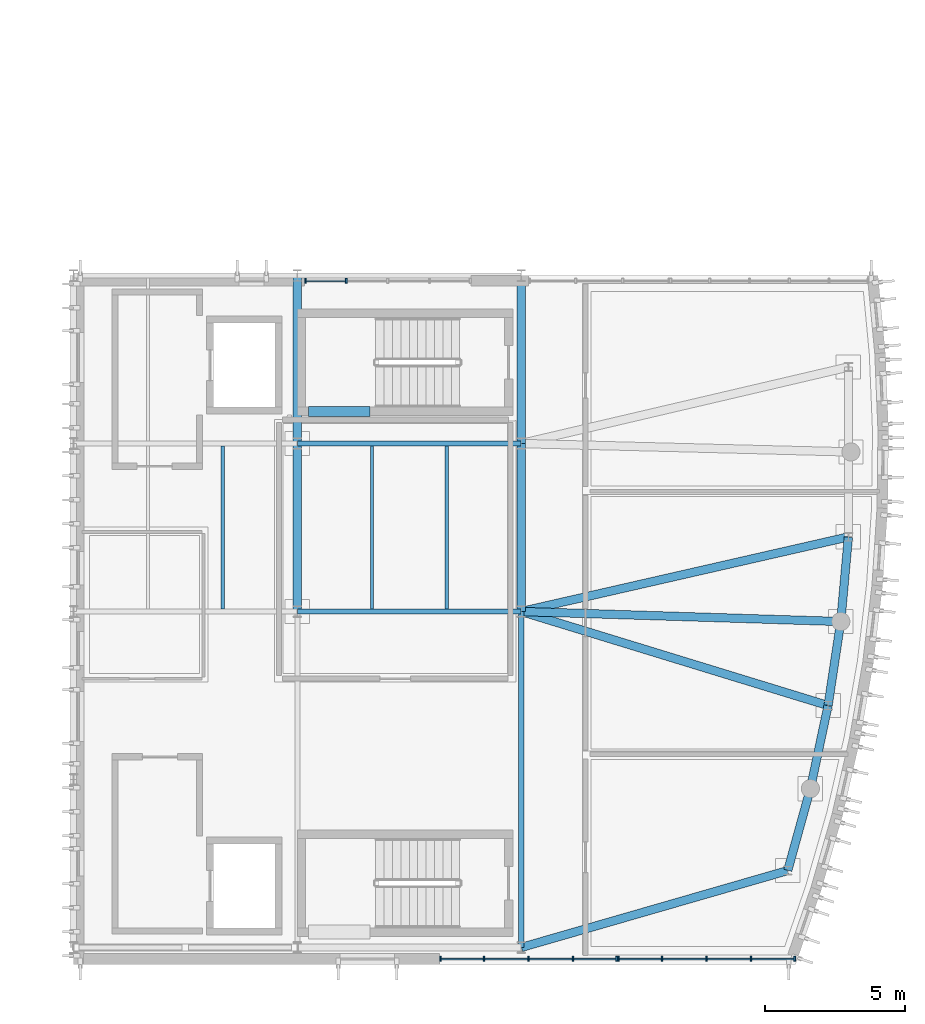
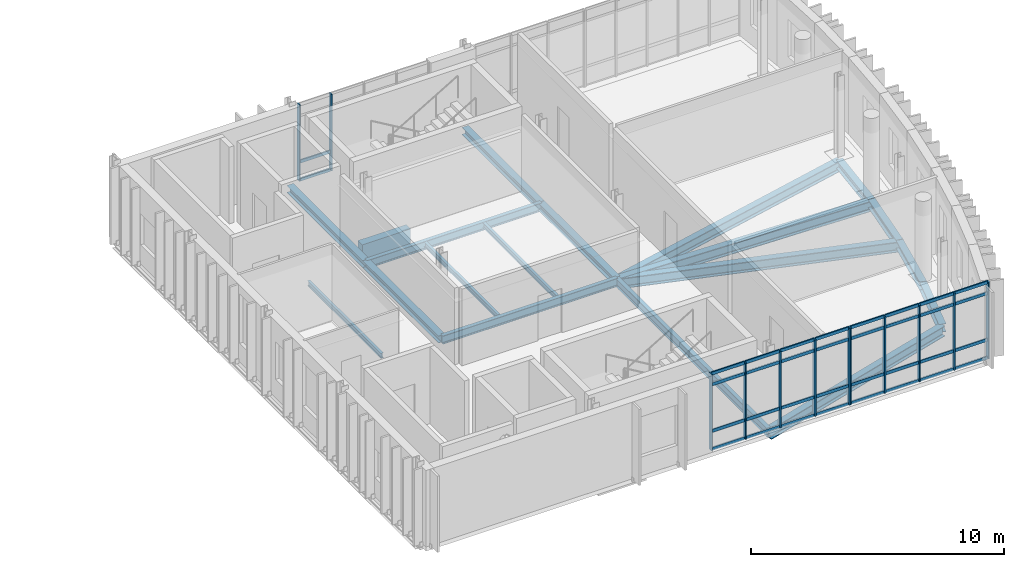
# One storey, part 3 of 14: 46 members, 19 beams, 3 elements without a shape of their own.
"""IFC4 building model written with IfcOpenShell, lengths in metres."""

from ifc_helpers import new_model, si_unit, direction, frame, origin, origin_2d, place, context, subcontext, project, spatial, rectangle, i_section, extrude, material, material_profile, profile_set, type_object, element, aggregate, save


model = new_model("IFC4")

# Units and contexts
model_context = context("Model", 3, precision=1e-05, world=origin(), true_north=direction((0.0, 1.0)))
body_context = subcontext(model_context, "Body", "Model", "MODEL_VIEW")
ifc_project = project(units=[si_unit("LENGTHUNIT", "METRE"), si_unit("AREAUNIT", "SQUARE_METRE"), si_unit("VOLUMEUNIT", "CUBIC_METRE"), si_unit("PLANEANGLEUNIT", "RADIAN"), si_unit("MASSUNIT", "GRAM", prefix="KILO")], contexts=[model_context])

# Site, building, storey
site_placement = place(None, origin())
site = spatial("IfcSite", under=ifc_project, at=site_placement, CompositionType="ELEMENT")
building_placement = place(site_placement, origin())
building = spatial("IfcBuilding", under=site, at=building_placement, Name="Cymarion Research Institute", CompositionType="ELEMENT")
storey_placement = place(building_placement, frame((0.0, 0.0, 34.5)))
storey = spatial("IfcBuildingStorey", under=building, at=storey_placement, Name="L08", CompositionType="ELEMENT", Elevation=34.5)

# Beam
ifc_material_1 = material(Name="Concrete C40/50", Category="concrete")
ifc_material_profile_1 = material_profile(ifc_material_1, rectangle(XDim=0.35009765625, YDim=0.85009765625, at=origin_2d()), Name="RC 350x850")
ifc_profile_set_1 = profile_set([ifc_material_profile_1], Name="Concrete C40/50")
beam_type_1 = type_object("IfcBeamType", Name="COUPLING LINTEL LN02 RC 350x850", PredefinedType="LINTEL", material=ifc_profile_set_1)
beam_1_placement = place(storey_placement, frame((147.0, 24.64990234375, -0.64501953125), z_axis=(1.0, 0.0, 0.0), x_axis=(0.0, 1.0, 0.0)))
element("IfcBeam", 1, at=beam_1_placement, inside=storey, type_object=beam_type_1, Name="L08 C2 core coupling lintel LN02", PredefinedType="LINTEL", context=body_context, shape_type="SweptSolid", body=[
    extrude(rectangle(XDim=0.35009765625, YDim=0.85009765625, at=origin_2d()), origin(), (0.0, 0.0, 1.0), 2.199951171875),
])

# Curtain wall, members
ifc_material_2 = material(Name="Anodised aluminium unitised curtain wall with Low-E glazing", Category="aluminium")
curtain_wall_type_1 = type_object("IfcCurtainWallType", Name="UNITISED CURTAIN WALL CW66 6360X3700", PredefinedType="NOTDEFINED", material=ifc_material_2)
curtain_wall_1_placement = place(storey_placement, origin())
curtain_wall_1 = element("IfcCurtainWall", 2, at=curtain_wall_1_placement, inside=storey, type_object=curtain_wall_type_1, Name="L08 V1 unitised curtain wall CW66 #243", PredefinedType="NOTDEFINED")
ifc_material_3 = material(Name="Anodised aluminium framing", Category="aluminium")
ifc_material_profile_2 = material_profile(ifc_material_3, rectangle(XDim=0.06005859375, YDim=0.179931640625, at=origin_2d()), Name="ALU MULLION 60x180")
ifc_profile_set_2 = profile_set([ifc_material_profile_2], Name="Anodised aluminium framing")
member_type_1 = type_object("IfcMemberType", Name="CURTAIN WALL MULLION ML01 60X180", PredefinedType="MULLION", material=ifc_profile_set_2)
member_1_placement = place(storey_placement, frame((151.7109375, 5.090087890625, 0.0), z_axis=(0.0, 0.0, 1.0), x_axis=(1.0, 0.0, 0.0)))
member_1 = element("IfcMember", 3, at=member_1_placement, type_object=member_type_1, Name="CW66 mullion 1", PredefinedType="MULLION", context=body_context, shape_type="SweptSolid", body=[
    extrude(rectangle(XDim=0.06005859375, YDim=0.179931640625, at=origin_2d()), origin(), (0.0, 0.0, 1.0), 3.699951171875),
])
member_2_placement = place(storey_placement, frame((153.27099609375, 5.090087890625, 0.0), z_axis=(0.0, 0.0, 1.0), x_axis=(1.0, 0.0, 0.0)))
member_2 = element("IfcMember", 4, at=member_2_placement, type_object=member_type_1, Name="CW66 mullion 2", PredefinedType="MULLION", context=body_context, shape_type="SweptSolid", body=[
    extrude(rectangle(XDim=0.06005859375, YDim=0.179931640625, at=origin_2d()), origin(), (0.0, 0.0, 1.0), 3.699951171875),
])
member_3_placement = place(storey_placement, frame((154.86083984375, 5.090087890625, 0.0), z_axis=(0.0, 0.0, 1.0), x_axis=(1.0, 0.0, 0.0)))
member_3 = element("IfcMember", 5, at=member_3_placement, type_object=member_type_1, Name="CW66 mullion 3", PredefinedType="MULLION", context=body_context, shape_type="SweptSolid", body=[
    extrude(rectangle(XDim=0.06005859375, YDim=0.179931640625, at=origin_2d()), origin(), (0.0, 0.0, 1.0), 3.699951171875),
])
member_4_placement = place(storey_placement, frame((156.45068359375, 5.090087890625, 0.0), z_axis=(0.0, 0.0, 1.0), x_axis=(1.0, 0.0, 0.0)))
member_4 = element("IfcMember", 6, at=member_4_placement, type_object=member_type_1, Name="CW66 mullion 4", PredefinedType="MULLION", context=body_context, shape_type="SweptSolid", body=[
    extrude(rectangle(XDim=0.06005859375, YDim=0.179931640625, at=origin_2d()), origin(), (0.0, 0.0, 1.0), 3.699951171875),
])
member_5_placement = place(storey_placement, frame((158.010498046875, 5.090087890625, 0.0), z_axis=(0.0, 0.0, 1.0), x_axis=(1.0, 0.0, 0.0)))
member_5 = element("IfcMember", 7, at=member_5_placement, type_object=member_type_1, Name="CW66 mullion 5", PredefinedType="MULLION", context=body_context, shape_type="SweptSolid", body=[
    extrude(rectangle(XDim=0.06005859375, YDim=0.179931640625, at=origin_2d()), origin(), (0.0, 0.0, 1.0), 3.699951171875),
])

curtain_wall_2_placement = place(storey_placement, origin())
curtain_wall_2 = element("IfcCurtainWall", 8, at=curtain_wall_2_placement, inside=storey, type_object=curtain_wall_type_1, Name="L08 V1 unitised curtain wall CW66 #244", PredefinedType="NOTDEFINED")
member_6_placement = place(storey_placement, frame((158.070556640625, 5.090087890625, 0.0), z_axis=(0.0, 0.0, 1.0), x_axis=(1.0, 0.0, 0.0)))
member_6 = element("IfcMember", 9, at=member_6_placement, type_object=member_type_1, Name="CW66 mullion 1", PredefinedType="MULLION", context=body_context, shape_type="SweptSolid", body=[
    extrude(rectangle(XDim=0.06005859375, YDim=0.179931640625, at=origin_2d()), origin(), (0.0, 0.0, 1.0), 3.699951171875),
])
member_7_placement = place(storey_placement, frame((159.63037109375, 5.090087890625, 0.0), z_axis=(0.0, 0.0, 1.0), x_axis=(1.0, 0.0, 0.0)))
member_7 = element("IfcMember", 10, at=member_7_placement, type_object=member_type_1, Name="CW66 mullion 2", PredefinedType="MULLION", context=body_context, shape_type="SweptSolid", body=[
    extrude(rectangle(XDim=0.06005859375, YDim=0.179931640625, at=origin_2d()), origin(), (0.0, 0.0, 1.0), 3.699951171875),
])
member_8_placement = place(storey_placement, frame((161.22021484375, 5.090087890625, 0.0), z_axis=(0.0, 0.0, 1.0), x_axis=(1.0, 0.0, 0.0)))
member_8 = element("IfcMember", 11, at=member_8_placement, type_object=member_type_1, Name="CW66 mullion 3", PredefinedType="MULLION", context=body_context, shape_type="SweptSolid", body=[
    extrude(rectangle(XDim=0.06005859375, YDim=0.179931640625, at=origin_2d()), origin(), (0.0, 0.0, 1.0), 3.699951171875),
])
member_9_placement = place(storey_placement, frame((162.81005859375, 5.090087890625, 0.0), z_axis=(0.0, 0.0, 1.0), x_axis=(1.0, 0.0, 0.0)))
member_9 = element("IfcMember", 12, at=member_9_placement, type_object=member_type_1, Name="CW66 mullion 4", PredefinedType="MULLION", context=body_context, shape_type="SweptSolid", body=[
    extrude(rectangle(XDim=0.06005859375, YDim=0.179931640625, at=origin_2d()), origin(), (0.0, 0.0, 1.0), 3.699951171875),
])
member_10_placement = place(storey_placement, frame((164.3701171875, 5.090087890625, 0.0), z_axis=(0.0, 0.0, 1.0), x_axis=(1.0, 0.0, 0.0)))
member_10 = element("IfcMember", 13, at=member_10_placement, type_object=member_type_1, Name="CW66 mullion 5", PredefinedType="MULLION", context=body_context, shape_type="SweptSolid", body=[
    extrude(rectangle(XDim=0.06005859375, YDim=0.179931640625, at=origin_2d()), origin(), (0.0, 0.0, 1.0), 3.699951171875),
])

curtain_wall_type_2 = type_object("IfcCurtainWallType", Name="UNITISED CURTAIN WALL CW69 5950X3700", PredefinedType="NOTDEFINED", material=ifc_material_2)
curtain_wall_3_placement = place(storey_placement, origin())
curtain_wall_3 = element("IfcCurtainWall", 14, at=curtain_wall_3_placement, inside=storey, type_object=curtain_wall_type_2, Name="L08 V1 unitised curtain wall CW69 #247", PredefinedType="NOTDEFINED")
member_11_placement = place(storey_placement, frame((148.346923828125, 29.31005859375, 0.0), z_axis=(0.0, 0.0, 1.0), x_axis=(-1.0, 0.0, 0.0)))
member_11 = element("IfcMember", 15, at=member_11_placement, type_object=member_type_1, Name="CW69 mullion 4", PredefinedType="MULLION", context=body_context, shape_type="SweptSolid", body=[
    extrude(rectangle(XDim=0.06005859375, YDim=0.179931640625, at=origin_2d()), origin(), (0.0, 0.0, 1.0), 3.699951171875),
])
member_12_placement = place(storey_placement, frame((146.889892578125, 29.31005859375, 0.0), z_axis=(0.0, 0.0, 1.0), x_axis=(-1.0, 0.0, 0.0)))
member_12 = element("IfcMember", 16, at=member_12_placement, type_object=member_type_1, Name="CW69 mullion 5", PredefinedType="MULLION", context=body_context, shape_type="SweptSolid", body=[
    extrude(rectangle(XDim=0.06005859375, YDim=0.179931640625, at=origin_2d()), origin(), (0.0, 0.0, 1.0), 3.699951171875),
])

# Member
ifc_material_profile_3 = material_profile(ifc_material_3, rectangle(XDim=0.06005859375, YDim=0.14990234375, at=origin_2d()), Name="ALU TRANSOM 60x150")
ifc_profile_set_3 = profile_set([ifc_material_profile_3], Name="Anodised aluminium framing")
member_type_2 = type_object("IfcMemberType", Name="CURTAIN WALL TRANSOM TR01 60X150", PredefinedType="USERDEFINED", material=ifc_profile_set_3)
member_13_placement = place(storey_placement, frame((151.740966796875, 5.090087890625, 0.030029296875), z_axis=(1.0, 0.0, 0.0), x_axis=(0.0, 1.0, 0.0)))
member_13 = element("IfcMember", 17, at=member_13_placement, type_object=member_type_2, Name="CW66 transom 1.1", ObjectType="TRANSOM", PredefinedType="USERDEFINED", context=body_context, shape_type="SweptSolid", body=[
    extrude(rectangle(XDim=0.06005859375, YDim=0.14990234375, at=origin_2d()), origin(), (0.0, 0.0, 1.0), 1.5),
])

member_14_placement = place(storey_placement, frame((151.740966796875, 5.090087890625, 0.89990234375), z_axis=(1.0, 0.0, 0.0), x_axis=(0.0, 1.0, 0.0)))
member_14 = element("IfcMember", 18, at=member_14_placement, type_object=member_type_2, Name="CW66 transom 1.2", ObjectType="TRANSOM", PredefinedType="USERDEFINED", context=body_context, shape_type="SweptSolid", body=[
    extrude(rectangle(XDim=0.06005859375, YDim=0.14990234375, at=origin_2d()), origin(), (0.0, 0.0, 1.0), 1.5),
])

member_15_placement = place(storey_placement, frame((151.740966796875, 5.090087890625, 3.14990234375), z_axis=(1.0, 0.0, 0.0), x_axis=(0.0, 1.0, 0.0)))
member_15 = element("IfcMember", 19, at=member_15_placement, type_object=member_type_2, Name="CW66 transom 1.3", ObjectType="TRANSOM", PredefinedType="USERDEFINED", context=body_context, shape_type="SweptSolid", body=[
    extrude(rectangle(XDim=0.06005859375, YDim=0.14990234375, at=origin_2d()), origin(), (0.0, 0.0, 1.0), 1.5),
])

member_16_placement = place(storey_placement, frame((151.740966796875, 5.090087890625, 3.669921875), z_axis=(1.0, 0.0, 0.0), x_axis=(0.0, 1.0, 0.0)))
member_16 = element("IfcMember", 20, at=member_16_placement, type_object=member_type_2, Name="CW66 transom 1.4", ObjectType="TRANSOM", PredefinedType="USERDEFINED", context=body_context, shape_type="SweptSolid", body=[
    extrude(rectangle(XDim=0.06005859375, YDim=0.14990234375, at=origin_2d()), origin(), (0.0, 0.0, 1.0), 1.5),
])

member_17_placement = place(storey_placement, frame((153.30078125, 5.090087890625, 0.030029296875), z_axis=(1.0, 0.0, 0.0), x_axis=(0.0, 1.0, 0.0)))
member_17 = element("IfcMember", 21, at=member_17_placement, type_object=member_type_2, Name="CW66 transom 2.1", ObjectType="TRANSOM", PredefinedType="USERDEFINED", context=body_context, shape_type="SweptSolid", body=[
    extrude(rectangle(XDim=0.06005859375, YDim=0.14990234375, at=origin_2d()), origin(), (0.0, 0.0, 1.0), 1.530029296875),
])

member_18_placement = place(storey_placement, frame((153.30078125, 5.090087890625, 0.89990234375), z_axis=(1.0, 0.0, 0.0), x_axis=(0.0, 1.0, 0.0)))
member_18 = element("IfcMember", 22, at=member_18_placement, type_object=member_type_2, Name="CW66 transom 2.2", ObjectType="TRANSOM", PredefinedType="USERDEFINED", context=body_context, shape_type="SweptSolid", body=[
    extrude(rectangle(XDim=0.06005859375, YDim=0.14990234375, at=origin_2d()), origin(), (0.0, 0.0, 1.0), 1.530029296875),
])

member_19_placement = place(storey_placement, frame((153.30078125, 5.090087890625, 3.14990234375), z_axis=(1.0, 0.0, 0.0), x_axis=(0.0, 1.0, 0.0)))
member_19 = element("IfcMember", 23, at=member_19_placement, type_object=member_type_2, Name="CW66 transom 2.3", ObjectType="TRANSOM", PredefinedType="USERDEFINED", context=body_context, shape_type="SweptSolid", body=[
    extrude(rectangle(XDim=0.06005859375, YDim=0.14990234375, at=origin_2d()), origin(), (0.0, 0.0, 1.0), 1.530029296875),
])

member_20_placement = place(storey_placement, frame((153.30078125, 5.090087890625, 3.669921875), z_axis=(1.0, 0.0, 0.0), x_axis=(0.0, 1.0, 0.0)))
member_20 = element("IfcMember", 24, at=member_20_placement, type_object=member_type_2, Name="CW66 transom 2.4", ObjectType="TRANSOM", PredefinedType="USERDEFINED", context=body_context, shape_type="SweptSolid", body=[
    extrude(rectangle(XDim=0.06005859375, YDim=0.14990234375, at=origin_2d()), origin(), (0.0, 0.0, 1.0), 1.530029296875),
])

member_21_placement = place(storey_placement, frame((154.890869140625, 5.090087890625, 0.030029296875), z_axis=(1.0, 0.0, 0.0), x_axis=(0.0, 1.0, 0.0)))
member_21 = element("IfcMember", 25, at=member_21_placement, type_object=member_type_2, Name="CW66 transom 3.1", ObjectType="TRANSOM", PredefinedType="USERDEFINED", context=body_context, shape_type="SweptSolid", body=[
    extrude(rectangle(XDim=0.06005859375, YDim=0.14990234375, at=origin_2d()), origin(), (0.0, 0.0, 1.0), 1.52978515625),
])

member_22_placement = place(storey_placement, frame((154.890869140625, 5.090087890625, 0.89990234375), z_axis=(1.0, 0.0, 0.0), x_axis=(0.0, 1.0, 0.0)))
member_22 = element("IfcMember", 26, at=member_22_placement, type_object=member_type_2, Name="CW66 transom 3.2", ObjectType="TRANSOM", PredefinedType="USERDEFINED", context=body_context, shape_type="SweptSolid", body=[
    extrude(rectangle(XDim=0.06005859375, YDim=0.14990234375, at=origin_2d()), origin(), (0.0, 0.0, 1.0), 1.52978515625),
])

member_23_placement = place(storey_placement, frame((154.890869140625, 5.090087890625, 3.14990234375), z_axis=(1.0, 0.0, 0.0), x_axis=(0.0, 1.0, 0.0)))
member_23 = element("IfcMember", 27, at=member_23_placement, type_object=member_type_2, Name="CW66 transom 3.3", ObjectType="TRANSOM", PredefinedType="USERDEFINED", context=body_context, shape_type="SweptSolid", body=[
    extrude(rectangle(XDim=0.06005859375, YDim=0.14990234375, at=origin_2d()), origin(), (0.0, 0.0, 1.0), 1.52978515625),
])

member_24_placement = place(storey_placement, frame((154.890869140625, 5.090087890625, 3.669921875), z_axis=(1.0, 0.0, 0.0), x_axis=(0.0, 1.0, 0.0)))
member_24 = element("IfcMember", 28, at=member_24_placement, type_object=member_type_2, Name="CW66 transom 3.4", ObjectType="TRANSOM", PredefinedType="USERDEFINED", context=body_context, shape_type="SweptSolid", body=[
    extrude(rectangle(XDim=0.06005859375, YDim=0.14990234375, at=origin_2d()), origin(), (0.0, 0.0, 1.0), 1.52978515625),
])

member_25_placement = place(storey_placement, frame((156.480712890625, 5.090087890625, 0.030029296875), z_axis=(1.0, 0.0, 0.0), x_axis=(0.0, 1.0, 0.0)))
member_25 = element("IfcMember", 29, at=member_25_placement, type_object=member_type_2, Name="CW66 transom 4.1", ObjectType="TRANSOM", PredefinedType="USERDEFINED", context=body_context, shape_type="SweptSolid", body=[
    extrude(rectangle(XDim=0.06005859375, YDim=0.14990234375, at=origin_2d()), origin(), (0.0, 0.0, 1.0), 1.499755859375),
])

member_26_placement = place(storey_placement, frame((156.480712890625, 5.090087890625, 0.89990234375), z_axis=(1.0, 0.0, 0.0), x_axis=(0.0, 1.0, 0.0)))
member_26 = element("IfcMember", 30, at=member_26_placement, type_object=member_type_2, Name="CW66 transom 4.2", ObjectType="TRANSOM", PredefinedType="USERDEFINED", context=body_context, shape_type="SweptSolid", body=[
    extrude(rectangle(XDim=0.06005859375, YDim=0.14990234375, at=origin_2d()), origin(), (0.0, 0.0, 1.0), 1.499755859375),
])

member_27_placement = place(storey_placement, frame((156.480712890625, 5.090087890625, 3.14990234375), z_axis=(1.0, 0.0, 0.0), x_axis=(0.0, 1.0, 0.0)))
member_27 = element("IfcMember", 31, at=member_27_placement, type_object=member_type_2, Name="CW66 transom 4.3", ObjectType="TRANSOM", PredefinedType="USERDEFINED", context=body_context, shape_type="SweptSolid", body=[
    extrude(rectangle(XDim=0.06005859375, YDim=0.14990234375, at=origin_2d()), origin(), (0.0, 0.0, 1.0), 1.499755859375),
])

member_28_placement = place(storey_placement, frame((156.480712890625, 5.090087890625, 3.669921875), z_axis=(1.0, 0.0, 0.0), x_axis=(0.0, 1.0, 0.0)))
member_28 = element("IfcMember", 32, at=member_28_placement, type_object=member_type_2, Name="CW66 transom 4.4", ObjectType="TRANSOM", PredefinedType="USERDEFINED", context=body_context, shape_type="SweptSolid", body=[
    extrude(rectangle(XDim=0.06005859375, YDim=0.14990234375, at=origin_2d()), origin(), (0.0, 0.0, 1.0), 1.499755859375),
])

aggregate(curtain_wall_1, [member_1, member_2, member_3, member_4, member_5, member_13, member_14, member_15, member_16, member_17, member_18, member_19, member_20, member_21, member_22, member_23, member_24, member_25, member_26, member_27, member_28])

member_29_placement = place(storey_placement, frame((158.1005859375, 5.090087890625, 0.030029296875), z_axis=(1.0, 0.0, 0.0), x_axis=(0.0, 1.0, 0.0)))
member_29 = element("IfcMember", 33, at=member_29_placement, type_object=member_type_2, Name="CW66 transom 1.1", ObjectType="TRANSOM", PredefinedType="USERDEFINED", context=body_context, shape_type="SweptSolid", body=[
    extrude(rectangle(XDim=0.06005859375, YDim=0.14990234375, at=origin_2d()), origin(), (0.0, 0.0, 1.0), 1.499755859375),
])

member_30_placement = place(storey_placement, frame((158.1005859375, 5.090087890625, 0.89990234375), z_axis=(1.0, 0.0, 0.0), x_axis=(0.0, 1.0, 0.0)))
member_30 = element("IfcMember", 34, at=member_30_placement, type_object=member_type_2, Name="CW66 transom 1.2", ObjectType="TRANSOM", PredefinedType="USERDEFINED", context=body_context, shape_type="SweptSolid", body=[
    extrude(rectangle(XDim=0.06005859375, YDim=0.14990234375, at=origin_2d()), origin(), (0.0, 0.0, 1.0), 1.499755859375),
])

member_31_placement = place(storey_placement, frame((158.1005859375, 5.090087890625, 3.14990234375), z_axis=(1.0, 0.0, 0.0), x_axis=(0.0, 1.0, 0.0)))
member_31 = element("IfcMember", 35, at=member_31_placement, type_object=member_type_2, Name="CW66 transom 1.3", ObjectType="TRANSOM", PredefinedType="USERDEFINED", context=body_context, shape_type="SweptSolid", body=[
    extrude(rectangle(XDim=0.06005859375, YDim=0.14990234375, at=origin_2d()), origin(), (0.0, 0.0, 1.0), 1.499755859375),
])

member_32_placement = place(storey_placement, frame((158.1005859375, 5.090087890625, 3.669921875), z_axis=(1.0, 0.0, 0.0), x_axis=(0.0, 1.0, 0.0)))
member_32 = element("IfcMember", 36, at=member_32_placement, type_object=member_type_2, Name="CW66 transom 1.4", ObjectType="TRANSOM", PredefinedType="USERDEFINED", context=body_context, shape_type="SweptSolid", body=[
    extrude(rectangle(XDim=0.06005859375, YDim=0.14990234375, at=origin_2d()), origin(), (0.0, 0.0, 1.0), 1.499755859375),
])

member_33_placement = place(storey_placement, frame((159.660400390625, 5.090087890625, 0.030029296875), z_axis=(1.0, 0.0, 0.0), x_axis=(0.0, 1.0, 0.0)))
member_33 = element("IfcMember", 37, at=member_33_placement, type_object=member_type_2, Name="CW66 transom 2.1", ObjectType="TRANSOM", PredefinedType="USERDEFINED", context=body_context, shape_type="SweptSolid", body=[
    extrude(rectangle(XDim=0.06005859375, YDim=0.14990234375, at=origin_2d()), origin(), (0.0, 0.0, 1.0), 1.52978515625),
])

member_34_placement = place(storey_placement, frame((159.660400390625, 5.090087890625, 0.89990234375), z_axis=(1.0, 0.0, 0.0), x_axis=(0.0, 1.0, 0.0)))
member_34 = element("IfcMember", 38, at=member_34_placement, type_object=member_type_2, Name="CW66 transom 2.2", ObjectType="TRANSOM", PredefinedType="USERDEFINED", context=body_context, shape_type="SweptSolid", body=[
    extrude(rectangle(XDim=0.06005859375, YDim=0.14990234375, at=origin_2d()), origin(), (0.0, 0.0, 1.0), 1.52978515625),
])

member_35_placement = place(storey_placement, frame((159.660400390625, 5.090087890625, 3.14990234375), z_axis=(1.0, 0.0, 0.0), x_axis=(0.0, 1.0, 0.0)))
member_35 = element("IfcMember", 39, at=member_35_placement, type_object=member_type_2, Name="CW66 transom 2.3", ObjectType="TRANSOM", PredefinedType="USERDEFINED", context=body_context, shape_type="SweptSolid", body=[
    extrude(rectangle(XDim=0.06005859375, YDim=0.14990234375, at=origin_2d()), origin(), (0.0, 0.0, 1.0), 1.52978515625),
])

member_36_placement = place(storey_placement, frame((159.660400390625, 5.090087890625, 3.669921875), z_axis=(1.0, 0.0, 0.0), x_axis=(0.0, 1.0, 0.0)))
member_36 = element("IfcMember", 40, at=member_36_placement, type_object=member_type_2, Name="CW66 transom 2.4", ObjectType="TRANSOM", PredefinedType="USERDEFINED", context=body_context, shape_type="SweptSolid", body=[
    extrude(rectangle(XDim=0.06005859375, YDim=0.14990234375, at=origin_2d()), origin(), (0.0, 0.0, 1.0), 1.52978515625),
])

member_37_placement = place(storey_placement, frame((161.250244140625, 5.090087890625, 0.030029296875), z_axis=(1.0, 0.0, 0.0), x_axis=(0.0, 1.0, 0.0)))
member_37 = element("IfcMember", 41, at=member_37_placement, type_object=member_type_2, Name="CW66 transom 3.1", ObjectType="TRANSOM", PredefinedType="USERDEFINED", context=body_context, shape_type="SweptSolid", body=[
    extrude(rectangle(XDim=0.06005859375, YDim=0.14990234375, at=origin_2d()), origin(), (0.0, 0.0, 1.0), 1.52978515625),
])

member_38_placement = place(storey_placement, frame((161.250244140625, 5.090087890625, 0.89990234375), z_axis=(1.0, 0.0, 0.0), x_axis=(0.0, 1.0, 0.0)))
member_38 = element("IfcMember", 42, at=member_38_placement, type_object=member_type_2, Name="CW66 transom 3.2", ObjectType="TRANSOM", PredefinedType="USERDEFINED", context=body_context, shape_type="SweptSolid", body=[
    extrude(rectangle(XDim=0.06005859375, YDim=0.14990234375, at=origin_2d()), origin(), (0.0, 0.0, 1.0), 1.52978515625),
])

member_39_placement = place(storey_placement, frame((161.250244140625, 5.090087890625, 3.14990234375), z_axis=(1.0, 0.0, 0.0), x_axis=(0.0, 1.0, 0.0)))
member_39 = element("IfcMember", 43, at=member_39_placement, type_object=member_type_2, Name="CW66 transom 3.3", ObjectType="TRANSOM", PredefinedType="USERDEFINED", context=body_context, shape_type="SweptSolid", body=[
    extrude(rectangle(XDim=0.06005859375, YDim=0.14990234375, at=origin_2d()), origin(), (0.0, 0.0, 1.0), 1.52978515625),
])

member_40_placement = place(storey_placement, frame((161.250244140625, 5.090087890625, 3.669921875), z_axis=(1.0, 0.0, 0.0), x_axis=(0.0, 1.0, 0.0)))
member_40 = element("IfcMember", 44, at=member_40_placement, type_object=member_type_2, Name="CW66 transom 3.4", ObjectType="TRANSOM", PredefinedType="USERDEFINED", context=body_context, shape_type="SweptSolid", body=[
    extrude(rectangle(XDim=0.06005859375, YDim=0.14990234375, at=origin_2d()), origin(), (0.0, 0.0, 1.0), 1.52978515625),
])

member_41_placement = place(storey_placement, frame((162.840087890625, 5.090087890625, 0.030029296875), z_axis=(1.0, 0.0, 0.0), x_axis=(0.0, 1.0, 0.0)))
member_41 = element("IfcMember", 45, at=member_41_placement, type_object=member_type_2, Name="CW66 transom 4.1", ObjectType="TRANSOM", PredefinedType="USERDEFINED", context=body_context, shape_type="SweptSolid", body=[
    extrude(rectangle(XDim=0.06005859375, YDim=0.14990234375, at=origin_2d()), origin(), (0.0, 0.0, 1.0), 1.5),
])

member_42_placement = place(storey_placement, frame((162.840087890625, 5.090087890625, 0.89990234375), z_axis=(1.0, 0.0, 0.0), x_axis=(0.0, 1.0, 0.0)))
member_42 = element("IfcMember", 46, at=member_42_placement, type_object=member_type_2, Name="CW66 transom 4.2", ObjectType="TRANSOM", PredefinedType="USERDEFINED", context=body_context, shape_type="SweptSolid", body=[
    extrude(rectangle(XDim=0.06005859375, YDim=0.14990234375, at=origin_2d()), origin(), (0.0, 0.0, 1.0), 1.5),
])

member_43_placement = place(storey_placement, frame((162.840087890625, 5.090087890625, 3.14990234375), z_axis=(1.0, 0.0, 0.0), x_axis=(0.0, 1.0, 0.0)))
member_43 = element("IfcMember", 47, at=member_43_placement, type_object=member_type_2, Name="CW66 transom 4.3", ObjectType="TRANSOM", PredefinedType="USERDEFINED", context=body_context, shape_type="SweptSolid", body=[
    extrude(rectangle(XDim=0.06005859375, YDim=0.14990234375, at=origin_2d()), origin(), (0.0, 0.0, 1.0), 1.5),
])

member_44_placement = place(storey_placement, frame((162.840087890625, 5.090087890625, 3.669921875), z_axis=(1.0, 0.0, 0.0), x_axis=(0.0, 1.0, 0.0)))
member_44 = element("IfcMember", 48, at=member_44_placement, type_object=member_type_2, Name="CW66 transom 4.4", ObjectType="TRANSOM", PredefinedType="USERDEFINED", context=body_context, shape_type="SweptSolid", body=[
    extrude(rectangle(XDim=0.06005859375, YDim=0.14990234375, at=origin_2d()), origin(), (0.0, 0.0, 1.0), 1.5),
])

aggregate(curtain_wall_2, [member_6, member_7, member_8, member_9, member_10, member_29, member_30, member_31, member_32, member_33, member_34, member_35, member_36, member_37, member_38, member_39, member_40, member_41, member_42, member_43, member_44])

member_45_placement = place(storey_placement, frame((148.31689453125, 29.31005859375, 0.030029296875), z_axis=(-1.0, 0.0, 0.0), x_axis=(0.0, -1.0, 0.0)))
member_45 = element("IfcMember", 49, at=member_45_placement, type_object=member_type_2, Name="CW69 transom 4.1", ObjectType="TRANSOM", PredefinedType="USERDEFINED", context=body_context, shape_type="SweptSolid", body=[
    extrude(rectangle(XDim=0.06005859375, YDim=0.14990234375, at=origin_2d()), origin(), (0.0, 0.0, 1.0), 1.39697265625),
])

member_46_placement = place(storey_placement, frame((148.31689453125, 29.31005859375, 0.89990234375), z_axis=(-1.0, 0.0, 0.0), x_axis=(0.0, -1.0, 0.0)))
member_46 = element("IfcMember", 50, at=member_46_placement, type_object=member_type_2, Name="CW69 transom 4.2", ObjectType="TRANSOM", PredefinedType="USERDEFINED", context=body_context, shape_type="SweptSolid", body=[
    extrude(rectangle(XDim=0.06005859375, YDim=0.14990234375, at=origin_2d()), origin(), (0.0, 0.0, 1.0), 1.39697265625),
])

aggregate(curtain_wall_3, [member_11, member_12, member_45, member_46])

# Beams
ifc_material_4 = material(Name="Steel S355", Category="steel")
ifc_material_profile_4 = material_profile(ifc_material_4, i_section(OverallWidth=0.179931640625, OverallDepth=0.39990234375, WebThickness=0.008544921875, FlangeThickness=0.013427734375, FilletRadius=0.02099609375, at=origin_2d()), Name="IPE 400")
ifc_profile_set_4 = profile_set([ifc_material_profile_4], Name="Steel S355")
beam_type_2 = type_object("IfcBeamType", Name="PRIMARY GIRDER BM05 IPE 400", PredefinedType="BEAM", material=ifc_profile_set_4)
for number, where, z_axis, x_axis, name in (
    (51, (146.60595703125, 17.5, -0.39990234375), (1.0, 0.0, 0.0), (0.0, 1.0, 0.0), "L08 V1 girder BM05 #2317"),
    (52, (146.60595703125, 23.5, -0.39990234375), (1.0, 0.0, 0.0), (0.0, 1.0, 0.0), "L08 V1 girder BM05 #2319"),
):
    element("IfcBeam", number, at=place(storey_placement, frame(where, z_axis=z_axis, x_axis=x_axis)), inside=storey, type_object=beam_type_2, Name=name, PredefinedType="BEAM", context=body_context, shape_type="SweptSolid", body=[
        extrude(i_section(OverallWidth=0.179931640625, OverallDepth=0.39990234375, WebThickness=0.008544921875, FlangeThickness=0.013427734375, FilletRadius=0.02099609375, at=origin_2d()), origin(), (0.0, 0.0, 1.0), 7.988037109375),
    ])
beam_2_placement = place(storey_placement, frame((154.60009765625, 5.506103515625, -0.39990234375), z_axis=(0.0, 1.0, 0.0), x_axis=(-1.0, 0.0, 0.0)))
element("IfcBeam", 53, at=beam_2_placement, inside=storey, type_object=beam_type_2, Name="L08 V1 girder BM05 #2329", PredefinedType="BEAM", context=body_context, shape_type="SweptSolid", body=[
    extrude(i_section(OverallWidth=0.179931640625, OverallDepth=0.39990234375, WebThickness=0.008544921875, FlangeThickness=0.013427734375, FilletRadius=0.02099609375, at=origin_2d()), origin(), (0.0, 0.0, 1.0), 11.98779296875),
])
ifc_material_profile_5 = material_profile(ifc_material_4, i_section(OverallWidth=0.300048828125, OverallDepth=0.5, WebThickness=0.014404296875, FlangeThickness=0.028076171875, FilletRadius=0.027099609375, at=origin_2d()), Name="HEB 500")
ifc_profile_set_5 = profile_set([ifc_material_profile_5], Name="Steel S355")
beam_type_3 = type_object("IfcBeamType", Name="PRIMARY GIRDER BM09 HEB 500", PredefinedType="BEAM", material=ifc_profile_set_5)
beam_3_placement = place(storey_placement, frame((154.607666015625, 5.502197265625, -0.449951171875), z_axis=(0.960790340878, 0.277275893067, 0.0), x_axis=(-0.277275893067, 0.960790340878, 0.0)))
element("IfcBeam", 54, at=beam_3_placement, inside=storey, type_object=beam_type_3, Name="L08 V1 radial prow girder BM09 #2337", PredefinedType="BEAM", context=body_context, shape_type="SweptSolid", body=[
    extrude(i_section(OverallWidth=0.300048828125, OverallDepth=0.5, WebThickness=0.014404296875, FlangeThickness=0.028076171875, FilletRadius=0.027099609375, at=origin_2d()), origin(), (0.0, 0.0, 1.0), 9.8916015625),
])
beam_4_placement = place(storey_placement, frame((154.607666015625, 17.497802734375, -0.449951171875), z_axis=(0.956111343016, -0.29300358318, 0.0), x_axis=(0.29300358318, 0.956111343016, 0.0)))
element("IfcBeam", 55, at=beam_4_placement, inside=storey, type_object=beam_type_3, Name="L08 V1 radial prow girder BM09 #2338", PredefinedType="BEAM", context=body_context, shape_type="SweptSolid", body=[
    extrude(i_section(OverallWidth=0.300048828125, OverallDepth=0.5, WebThickness=0.014404296875, FlangeThickness=0.028076171875, FilletRadius=0.027099609375, at=origin_2d()), origin(), (0.0, 0.0, 1.0), 11.447021484375),
])
beam_5_placement = place(storey_placement, frame((154.60791015625, 17.499755859375, -0.449951171875), z_axis=(0.999510612774, -0.03128154332, 0.0), x_axis=(0.03128154332, 0.999510612774, 0.0)))
element("IfcBeam", 56, at=beam_5_placement, inside=storey, type_object=beam_type_3, Name="L08 V1 radial prow girder BM09 #2339", PredefinedType="BEAM", context=body_context, shape_type="SweptSolid", body=[
    extrude(i_section(OverallWidth=0.300048828125, OverallDepth=0.5, WebThickness=0.014404296875, FlangeThickness=0.028076171875, FilletRadius=0.027099609375, at=origin_2d()), origin(), (0.0, 0.0, 1.0), 11.402587890625),
])
beam_6_placement = place(storey_placement, frame((154.60791015625, 17.501708984375, -0.449951171875), z_axis=(0.974944767555, 0.222447072846, 0.0), x_axis=(-0.222447072846, 0.974944767555, 0.0)))
element("IfcBeam", 57, at=beam_6_placement, inside=storey, type_object=beam_type_3, Name="L08 V1 radial prow girder BM09 #2340", PredefinedType="BEAM", context=body_context, shape_type="SweptSolid", body=[
    extrude(i_section(OverallWidth=0.300048828125, OverallDepth=0.5, WebThickness=0.014404296875, FlangeThickness=0.028076171875, FilletRadius=0.027099609375, at=origin_2d()), origin(), (0.0, 0.0, 1.0), 11.969482421875),
])
ifc_material_profile_6 = material_profile(ifc_material_4, i_section(OverallWidth=0.300048828125, OverallDepth=0.39990234375, WebThickness=0.013427734375, FlangeThickness=0.02392578125, FilletRadius=0.027099609375, at=origin_2d()), Name="HEB 400")
ifc_profile_set_6 = profile_set([ifc_material_profile_6], Name="Steel S355")
beam_type_4 = type_object("IfcBeamType", Name="PRIMARY GIRDER BM11 HEB 400", PredefinedType="BEAM", material=ifc_profile_set_6)
for number, where, z_axis, x_axis, name in (
    (58, (164.12109375, 8.254638671875, -0.39990234375), (0.266488575035, 0.963838077364, 0.0), (-0.963838077364, 0.266488575035, 0.0), "L08 V1 prow ring girder BM11 #2333"),
    (59, (164.929443359375, 11.180419921875, -0.39990234375), (0.208198161849, 0.978086665589, 0.0), (-0.978086665589, 0.208198161849, 0.0), "L08 V1 prow ring girder BM11 #2334"),
    (60, (165.56103515625, 14.1494140625, -0.39990234375), (0.149261642014, 0.988797735749, 0.0), (-0.988797735749, 0.149261642014, 0.0), "L08 V1 prow ring girder BM11 #2335"),
):
    element("IfcBeam", number, at=place(storey_placement, frame(where, z_axis=z_axis, x_axis=x_axis)), inside=storey, type_object=beam_type_4, Name=name, PredefinedType="BEAM", context=body_context, shape_type="SweptSolid", body=[
        extrude(i_section(OverallWidth=0.300048828125, OverallDepth=0.39990234375, WebThickness=0.013427734375, FlangeThickness=0.02392578125, FilletRadius=0.027099609375, at=origin_2d()), origin(), (0.0, 0.0, 1.0), 3.01953125),
    ])
beam_7_placement = place(storey_placement, frame((166.013671875, 17.15087890625, -0.39990234375), z_axis=(0.089835817944, 0.995956588318, 0.0), x_axis=(-0.995956588318, 0.089835817944, 0.0)))
element("IfcBeam", 61, at=beam_7_placement, inside=storey, type_object=beam_type_4, Name="L08 V1 prow ring girder BM11 #2336", PredefinedType="BEAM", context=body_context, shape_type="SweptSolid", body=[
    extrude(i_section(OverallWidth=0.300048828125, OverallDepth=0.39990234375, WebThickness=0.013427734375, FlangeThickness=0.02392578125, FilletRadius=0.027099609375, at=origin_2d()), origin(), (0.0, 0.0, 1.0), 3.019287109375),
])
ifc_material_profile_7 = material_profile(ifc_material_4, i_section(OverallWidth=0.300048828125, OverallDepth=0.35009765625, WebThickness=0.010009765625, FlangeThickness=0.017578125, FilletRadius=0.027099609375, at=origin_2d()), Name="HEA 360")
ifc_profile_set_7 = profile_set([ifc_material_profile_7], Name="Steel S355")
beam_type_5 = type_object("IfcBeamType", Name="PRIMARY GIRDER BM12 HEA 360", PredefinedType="BEAM", material=ifc_profile_set_7)
for number, where, z_axis, x_axis, name in (
    (62, (146.60009765625, 17.506103515625, -0.375), (0.0, 1.0, 0.0), (-1.0, 0.0, 0.0), "L08 V1 girder BM12 #2327"),
    (63, (146.60009765625, 23.506103515625, -0.375), (0.0, 1.0, 0.0), (-1.0, 0.0, 0.0), "L08 V1 girder BM12 #2328"),
    (64, (154.60009765625, 17.506103515625, -0.375), (0.0, 1.0, 0.0), (-1.0, 0.0, 0.0), "L08 V1 girder BM12 #2330"),
    (65, (154.60009765625, 23.506103515625, -0.375), (0.0, 1.0, 0.0), (-1.0, 0.0, 0.0), "L08 V1 girder BM12 #2331"),
):
    element("IfcBeam", number, at=place(storey_placement, frame(where, z_axis=z_axis, x_axis=x_axis)), inside=storey, type_object=beam_type_5, Name=name, PredefinedType="BEAM", context=body_context, shape_type="SweptSolid", body=[
        extrude(i_section(OverallWidth=0.300048828125, OverallDepth=0.35009765625, WebThickness=0.010009765625, FlangeThickness=0.017578125, FilletRadius=0.027099609375, at=origin_2d()), origin(), (0.0, 0.0, 1.0), 5.98779296875),
    ])
ifc_material_profile_8 = material_profile(ifc_material_4, i_section(OverallWidth=0.1201171875, OverallDepth=0.239990234375, WebThickness=0.006103515625, FlangeThickness=0.009765625, FilletRadius=0.014892578125, at=origin_2d()), Name="IPE 240")
ifc_profile_set_8 = profile_set([ifc_material_profile_8], Name="Steel S355")
beam_type_6 = type_object("IfcBeamType", Name="SECONDARY JOIST JS04 IPE 240", PredefinedType="JOIST", material=ifc_profile_set_8)
for number, where, z_axis, x_axis, name in (
    (66, (143.933349609375, 17.593994140625, -0.320068359375), (0.0, 1.0, 0.0), (-1.0, 0.0, 0.0), "L08 V1 secondary joist JS04 #2344"),
    (67, (149.2666015625, 17.593994140625, -0.320068359375), (0.0, 1.0, 0.0), (-1.0, 0.0, 0.0), "L08 V1 secondary joist JS04 #2345"),
    (68, (151.933349609375, 17.593994140625, -0.320068359375), (0.0, 1.0, 0.0), (-1.0, 0.0, 0.0), "L08 V1 secondary joist JS04 #2346"),
):
    element("IfcBeam", number, at=place(storey_placement, frame(where, z_axis=z_axis, x_axis=x_axis)), inside=storey, type_object=beam_type_6, Name=name, PredefinedType="JOIST", context=body_context, shape_type="SweptSolid", body=[
        extrude(i_section(OverallWidth=0.1201171875, OverallDepth=0.239990234375, WebThickness=0.006103515625, FlangeThickness=0.009765625, FilletRadius=0.014892578125, at=origin_2d()), origin(), (0.0, 0.0, 1.0), 5.81201171875),
    ])

save(model, "model.ifc")
